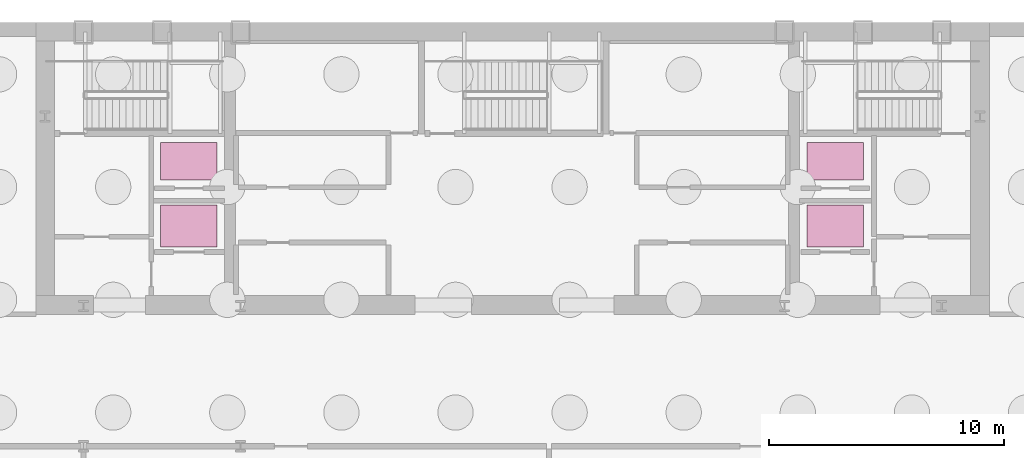
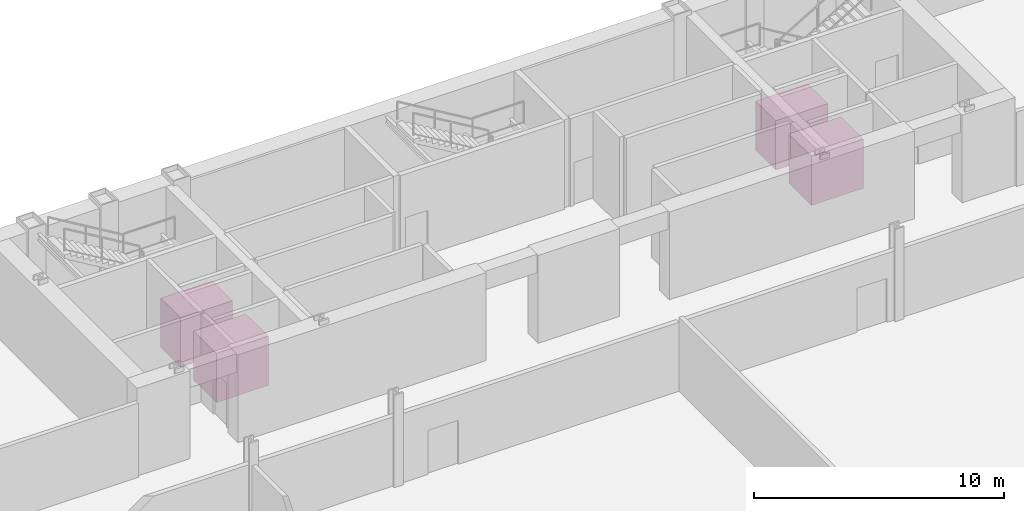
# One storey, part 11 of 11: 4 transport elements.
"""IFC4 building model written with IfcOpenShell, lengths in metres."""

from ifc_helpers import new_model, si_unit, direction, frame, origin, origin_2d, place, context, subcontext, project, spatial, rectangle, extrude, material, type_object, element, save


model = new_model("IFC4")

# Units and contexts
model_context = context("Model", 3, precision=1e-05, world=origin(), true_north=direction((0.0, 1.0)))
body_context = subcontext(model_context, "Body", "Model", "MODEL_VIEW")
ifc_project = project(units=[si_unit("LENGTHUNIT", "METRE"), si_unit("AREAUNIT", "SQUARE_METRE"), si_unit("VOLUMEUNIT", "CUBIC_METRE"), si_unit("PLANEANGLEUNIT", "RADIAN"), si_unit("MASSUNIT", "GRAM", prefix="KILO")], contexts=[model_context])

# Site, building, storey
site_placement = place(None, origin())
site = spatial("IfcSite", under=ifc_project, at=site_placement, CompositionType="ELEMENT")
building_placement = place(site_placement, origin())
building = spatial("IfcBuilding", under=site, at=building_placement, Name="Khoronbel Lancet Exchange", CompositionType="ELEMENT")
storey_placement = place(building_placement, frame((0.0, 0.0, -9.0)))
storey = spatial("IfcBuildingStorey", under=building, at=storey_placement, Name="B2", CompositionType="ELEMENT", Elevation=-9.0)

# Transport elements
ifc_material_1 = material(Name="Fire-Rated Stainless Steel Elevator Car Assembly", Category="steel")
transport_element_type_1 = type_object("IfcTransportElementType", Name="LFT-FFL", PredefinedType="ELEVATOR", material=ifc_material_1)
for number, where, z_axis, x_axis, name in (
    (1, (22.699951171875, 47.800048828125, 0.0), (0.0, 0.0, 1.0), (1.0, 0.0, 0.0), "Firefighting elevator car FFL1"),
    (2, (50.14990234375, 47.800048828125, 0.0), (0.0, 0.0, 1.0), (1.0, 0.0, 0.0), "Firefighting elevator car FFL2"),
):
    element("IfcTransportElement", number, at=place(storey_placement, frame(where, z_axis=z_axis, x_axis=x_axis)), inside=storey, type_object=transport_element_type_1, Name=name, PredefinedType="ELEVATOR", context=body_context, shape_type="SweptSolid", body=[
        extrude(rectangle(XDim=2.39990234375, YDim=1.60009765625, at=origin_2d()), origin(), (0.0, 0.0, 1.0), 2.39990234375),
    ])
ifc_material_2 = material(Name="Heavy-Duty Brushed Steel Goods Elevator Car Assembly", Category="steel")
transport_element_type_2 = type_object("IfcTransportElementType", Name="LFT-SVL", PredefinedType="ELEVATOR", material=ifc_material_2)
for number, where, z_axis, x_axis, name in (
    (3, (22.699951171875, 45.050048828125, 0.0), (0.0, 0.0, 1.0), (1.0, 0.0, 0.0), "Service elevator car SVL1"),
    (4, (50.14990234375, 45.050048828125, 0.0), (0.0, 0.0, 1.0), (1.0, 0.0, 0.0), "Service elevator car SVL2"),
):
    element("IfcTransportElement", number, at=place(storey_placement, frame(where, z_axis=z_axis, x_axis=x_axis)), inside=storey, type_object=transport_element_type_2, Name=name, PredefinedType="ELEVATOR", context=body_context, shape_type="SweptSolid", body=[
        extrude(rectangle(XDim=2.39990234375, YDim=1.800048828125, at=origin_2d()), origin(), (0.0, 0.0, 1.0), 2.39990234375),
    ])

save(model, "model.ifc")
